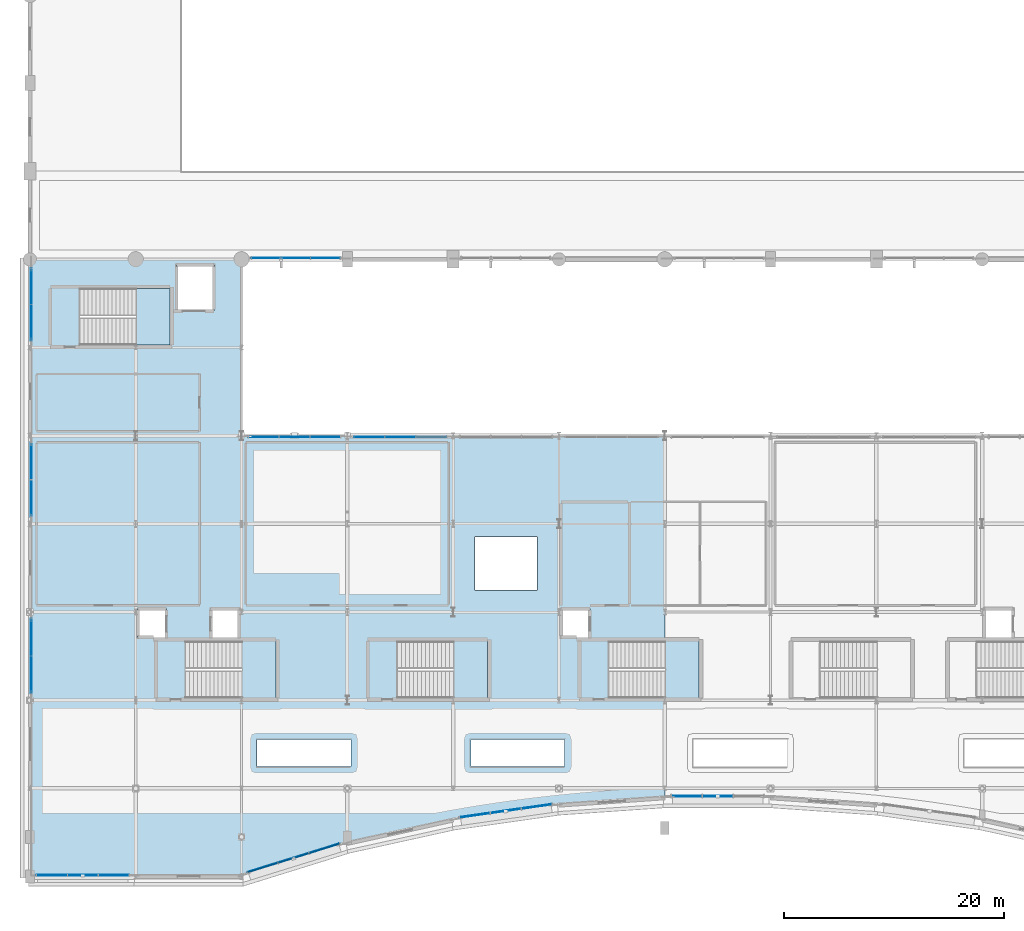
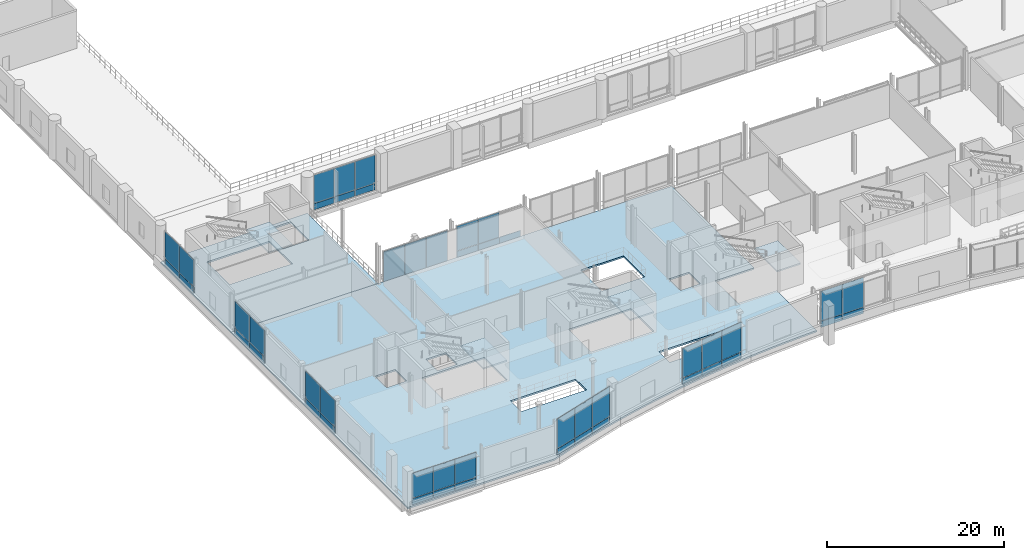
# One storey, part 69 of 129: 48 plates, 6 slabs, 14 elements without a shape of their own.
"""IFC4 building model written with IfcOpenShell, lengths in metres."""

import ifcopenshell
import ifcopenshell.guid

model = None  # the IFC model being written
_history = None  # IfcOwnerHistory: only IFC2X3 demands one
_inside = {}  # id of a spatial element -> (the spatial element, [elements in it])
_under = {}  # id of a project, library or spatial element -> (it, [spatial elements below it])
_declared = {}  # id of a project -> (the project, [libraries it declares])
_typed = {}  # id of a type object -> (the type object, [elements of that type])
_made_of = {}  # id of a material, layer set ... -> (it, [elements and type objects made of it])


def new_model(schema):
    """Start an empty IFC model of exactly this schema.

    Asked for "IFC4X3", IfcOpenShell would pick the latest addendum, in which some entities
    have other attributes; the version numbers below select the first issue.
    IFC2X3 requires an IfcOwnerHistory on every rooted entity: one is made here for all.
    """
    global model, _history
    if schema == "IFC4X3":
        model = ifcopenshell.file(schema_version=(4, 3, 0, 0))
    else:
        model = ifcopenshell.file(schema=schema)
    _inside.clear()
    _under.clear()
    _declared.clear()
    _typed.clear()
    _made_of.clear()
    _history = None
    if model.schema == "IFC2X3":
        org = make("IfcOrganization", Name="unknown")
        user = make(
            "IfcPersonAndOrganization",
            ThePerson=make("IfcPerson", FamilyName="unknown"),
            TheOrganization=org,
        )
        app = make(
            "IfcApplication",
            ApplicationDeveloper=org,
            Version="unknown",
            ApplicationFullName="unknown",
            ApplicationIdentifier="unknown",
        )
        _history = make(
            "IfcOwnerHistory",
            OwningUser=user,
            OwningApplication=app,
            ChangeAction="ADDED",
            CreationDate=0,
        )
    return model


def make(cls, **values):
    """One entity of the class cls with the attributes given. An attribute that is None is left unset."""
    return model.create_entity(
        cls, **{name: value for name, value in values.items() if value is not None}
    )


def rooted(cls, **values):
    """An entity with a GlobalId (a new one), such as an element, a storey or a relation."""
    return make(cls, GlobalId=ifcopenshell.guid.new(), OwnerHistory=_history, **values)


def si_unit(unit_type, name, prefix=None):
    """IfcSIUnit, for example si_unit("LENGTHUNIT", "METRE", prefix="MILLI")."""
    return make("IfcSIUnit", UnitType=unit_type, Prefix=prefix, Name=name)


def assignment(units):
    """IfcUnitAssignment: the units of a project."""
    return None if units is None else make("IfcUnitAssignment", Units=units)


def point(xyz):
    """IfcCartesianPoint."""
    return None if xyz is None else make("IfcCartesianPoint", Coordinates=xyz)


def direction(xyz):
    """IfcDirection."""
    return None if xyz is None else make("IfcDirection", DirectionRatios=xyz)


def frame(location, z_axis=None, x_axis=None):
    """IfcAxis2Placement3D, a coordinate frame: its origin and axes. An axis left out is left unset."""
    return make(
        "IfcAxis2Placement3D",
        Location=point(location),
        Axis=direction(z_axis),
        RefDirection=direction(x_axis),
    )


def frame_2d(location, x_axis=None):
    """IfcAxis2Placement2D, a coordinate frame in the plane: its origin and x axis."""
    return make(
        "IfcAxis2Placement2D", Location=point(location), RefDirection=direction(x_axis)
    )


def origin():
    """The frame at (0, 0, 0) with its axes left unset."""
    return frame((0.0, 0.0, 0.0))


def origin_2d():
    """The frame at (0, 0) in the plane with its x axis left unset."""
    return frame_2d((0.0, 0.0))


def place(relative_to, where):
    """IfcLocalPlacement: puts the frame where relative to a parent placement (None: the world)."""
    return make(
        "IfcLocalPlacement", PlacementRelTo=relative_to, RelativePlacement=where
    )


def context(
    kind, dimensions, precision=None, world=None, true_north=None, identifier=None
):
    """IfcGeometricRepresentationContext, for example the 3D "Model" context."""
    return make(
        "IfcGeometricRepresentationContext",
        ContextIdentifier=identifier,
        ContextType=kind,
        CoordinateSpaceDimension=dimensions,
        Precision=precision,
        WorldCoordinateSystem=world,
        TrueNorth=true_north,
    )


def subcontext(parent, identifier, kind, view, scale=None):
    """IfcGeometricRepresentationSubContext, for example "Body" below "Model"."""
    return make(
        "IfcGeometricRepresentationSubContext",
        ContextIdentifier=identifier,
        ContextType=kind,
        ParentContext=parent,
        TargetScale=scale,
        TargetView=view,
    )


def project(units=None, contexts=None):
    """IfcProject with its units and contexts."""
    return rooted(
        "IfcProject",
        Name="project",
        RepresentationContexts=contexts,
        UnitsInContext=assignment(units),
    )


def spatial(cls, under=None, at=None, **own):
    """A site, building, storey or space (cls), placed at a placement, below another one or the project."""
    s = rooted(cls, ObjectPlacement=at, **own)
    if under is not None:
        _under.setdefault(under.id(), (under, []))[1].append(s)
    return s


def polyline(points):
    """IfcPolyline through the points."""
    return make("IfcPolyline", Points=[point(p) for p in points])


def profile(cls, at=None, kind="AREA", **sizes):
    """A parametric profile (cls). Its sizes go by their IFC names, for example OverallWidth=200.0."""
    return make(cls, ProfileType=kind, Position=at, **sizes)


def rectangle(**sizes):
    """IfcRectangleProfileDef."""
    return profile("IfcRectangleProfileDef", **sizes)


def outline(outer, holes=None, kind="AREA"):
    """IfcArbitraryClosedProfileDef: a profile drawn as a closed curve; with holes, ...WithVoids."""
    if holes is None:
        return make("IfcArbitraryClosedProfileDef", ProfileType=kind, OuterCurve=outer)
    return make(
        "IfcArbitraryProfileDefWithVoids",
        ProfileType=kind,
        OuterCurve=outer,
        InnerCurves=holes,
    )


def extrude(swept, where, along, depth):
    """IfcExtrudedAreaSolid: the profile swept, set in the frame where, extruded along a direction by depth."""
    return make(
        "IfcExtrudedAreaSolid",
        SweptArea=swept,
        Position=where,
        ExtrudedDirection=direction(along),
        Depth=depth,
    )


def shape(context_of_items, identifier, shape_type, items):
    """IfcShapeRepresentation: the items that make up one representation, for example the "Body"."""
    return make(
        "IfcShapeRepresentation",
        ContextOfItems=context_of_items,
        RepresentationIdentifier=identifier,
        RepresentationType=shape_type,
        Items=items,
    )


def material(Name=None, Category=None):
    """IfcMaterial."""
    return make("IfcMaterial", Name=Name, Category=Category)


def layer(
    of_material, thickness, ventilated=None, Name=None, Category=None, Priority=None
):
    """IfcMaterialLayer: one layer of a wall or slab, of a material (None: an air gap)."""
    return make(
        "IfcMaterialLayer",
        Material=of_material,
        LayerThickness=thickness,
        IsVentilated=ventilated,
        Name=Name,
        Category=Category,
        Priority=Priority,
    )


def layer_set(layers, Name=None):
    """IfcMaterialLayerSet."""
    return make("IfcMaterialLayerSet", MaterialLayers=layers, LayerSetName=Name)


def made_of(thing, what):
    """Note that an element or type object is made of a material, layer set ...; save() writes the relation."""
    if what is not None:
        _made_of.setdefault(what.id(), (what, []))[1].append(thing)
    return thing


def type_object(cls, material=None, **own):
    """A type object (cls), such as IfcWallType, which elements share."""
    return made_of(rooted(cls, **own), material)


def element(
    cls,
    number,
    at=None,
    inside=None,
    cuts=None,
    type_object=None,
    material=None,
    context=None,
    identifier="Body",
    shape_type=None,
    held_by="IfcProductDefinitionShape",
    body=None,
    shapes=None,
    **own,
):
    """One element of the class cls, such as IfcWall. Its Tag is "e" and its number.

    at: its placement. inside: the storey or other place that contains it. cuts: it is an
    opening in that element (IfcRelVoidsElement). A single representation is given by context,
    identifier, shape_type and body (its items); several are given by shapes. held_by: the class
    of the entity that holds the representations. save() writes the other relations.
    """
    e = rooted(cls, Tag="e%d" % number, ObjectPlacement=at, **own)
    if body is not None:
        shapes = [shape(context, identifier, shape_type, body)]
    if shapes is not None:
        e.Representation = make(held_by, Representations=shapes)
    if inside is not None:
        _inside.setdefault(inside.id(), (inside, []))[1].append(e)
    if cuts is not None:
        rooted(
            "IfcRelVoidsElement", RelatingBuildingElement=cuts, RelatedOpeningElement=e
        )
    if type_object is not None:
        _typed.setdefault(type_object.id(), (type_object, []))[1].append(e)
    return made_of(e, material)


def aggregate(whole, parts):
    """IfcRelAggregates: a whole, such as a stair, and the parts it consists of."""
    return rooted("IfcRelAggregates", RelatingObject=whole, RelatedObjects=parts)


def save(model, path):
    """Write the relations noted so far, then the file.

    IfcRelAggregates (storeys below a building ...), IfcRelContainedInSpatialStructure (elements
    in a storey), IfcRelDefinesByType, IfcRelAssociatesMaterial and IfcRelDeclares: one each for
    every whole, place, type object, material and project.
    """
    for whole, parts in _under.values():
        aggregate(whole, parts)
    for where, things in _inside.values():
        rooted(
            "IfcRelContainedInSpatialStructure",
            RelatedElements=things,
            RelatingStructure=where,
        )
    for kind, things in _typed.values():
        rooted("IfcRelDefinesByType", RelatedObjects=things, RelatingType=kind)
    for what, things in _made_of.values():
        rooted("IfcRelAssociatesMaterial", RelatedObjects=things, RelatingMaterial=what)
    for by, libraries in _declared.values():
        rooted("IfcRelDeclares", RelatingContext=by, RelatedDefinitions=libraries)
    model.write(path)


model = new_model("IFC4")

# Units and contexts
model_context = context("Model", 3, precision=1e-05, world=origin(), true_north=direction((0.0, 1.0)))
body_context = subcontext(model_context, "Body", "Model", "MODEL_VIEW")
ifc_project = project(units=[si_unit("LENGTHUNIT", "METRE"), si_unit("AREAUNIT", "SQUARE_METRE"), si_unit("VOLUMEUNIT", "CUBIC_METRE"), si_unit("PLANEANGLEUNIT", "RADIAN"), si_unit("MASSUNIT", "GRAM", prefix="KILO")], contexts=[model_context])

# Site, building, storey
site_placement = place(None, origin())
site = spatial("IfcSite", under=ifc_project, at=site_placement, CompositionType="ELEMENT")
building_placement = place(site_placement, origin())
building = spatial("IfcBuilding", under=site, at=building_placement, Name="Danafjord Basin Convention Centre", CompositionType="ELEMENT")
storey_placement = place(building_placement, frame((0.0, 0.0, 6.0)))
storey = spatial("IfcBuildingStorey", under=building, at=storey_placement, Name="L01", CompositionType="ELEMENT", Elevation=6.0)

# Curtain wall, plates
ifc_material_1 = material(Name="Anodised aluminium and triple glazing", Category="aluminium")
curtain_wall_type_1 = type_object("IfcCurtainWallType", Name="CW-CW-HALL", PredefinedType="NOTDEFINED", material=ifc_material_1)
curtain_wall_1_placement = place(storey_placement, origin())
curtain_wall_1 = element("IfcCurtainWall", 1, at=curtain_wall_1_placement, inside=storey, type_object=curtain_wall_type_1, Name="L01 CW-HALL unitised curtain wall bay 2", PredefinedType="NOTDEFINED")
ifc_material_2 = material(Name="Triple low-E insulated glazing", Category="glass")
ifc_layer_1 = layer(ifc_material_2, 0.0380859375)
ifc_layer_set_1 = layer_set([ifc_layer_1], Name="Triple low-E insulated glazing")
plate_type_1 = type_object("IfcPlateType", Name="PLT-GP-38", PredefinedType="CURTAIN_PANEL", material=ifc_layer_set_1)
plate_1_placement = place(storey_placement, frame((21.441650390625, 56.1201171875, 0.97802734375), z_axis=(0.0, 0.0, 1.0), x_axis=(1.0, 0.0, 0.0)))
plate_1 = element("IfcPlate", 2, at=plate_1_placement, type_object=plate_type_1, Name="CW-L01-002 vision glazing unit 1", PredefinedType="CURTAIN_PANEL", context=body_context, shape_type="SweptSolid", body=[
    extrude(rectangle(XDim=2.627197265625, YDim=0.0380859375, at=origin_2d()), origin(), (0.0, 0.0, 1.0), 3.884033203125),
])
plate_2_placement = place(storey_placement, frame((24.125, 56.1201171875, 0.97802734375), z_axis=(0.0, 0.0, 1.0), x_axis=(1.0, 0.0, 0.0)))
plate_2 = element("IfcPlate", 3, at=plate_2_placement, type_object=plate_type_1, Name="CW-L01-002 vision glazing unit 2", PredefinedType="CURTAIN_PANEL", context=body_context, shape_type="SweptSolid", body=[
    extrude(rectangle(XDim=2.627197265625, YDim=0.0380859375, at=origin_2d()), origin(), (0.0, 0.0, 1.0), 3.884033203125),
])
plate_3_placement = place(storey_placement, frame((26.808349609375, 56.1201171875, 0.97802734375), z_axis=(0.0, 0.0, 1.0), x_axis=(1.0, 0.0, 0.0)))
plate_3 = element("IfcPlate", 4, at=plate_3_placement, type_object=plate_type_1, Name="CW-L01-002 vision glazing unit 3", PredefinedType="CURTAIN_PANEL", context=body_context, shape_type="SweptSolid", body=[
    extrude(rectangle(XDim=2.627197265625, YDim=0.0380859375, at=origin_2d()), origin(), (0.0, 0.0, 1.0), 3.884033203125),
])

curtain_wall_type_2 = type_object("IfcCurtainWallType", Name="CW-CW-HARB", PredefinedType="NOTDEFINED", material=ifc_material_1)
curtain_wall_2_placement = place(storey_placement, origin())
curtain_wall_2 = element("IfcCurtainWall", 5, at=curtain_wall_2_placement, inside=storey, type_object=curtain_wall_type_2, Name="L01 CW-HARB unitised curtain wall bay 16", PredefinedType="NOTDEFINED")
plate_4_placement = place(storey_placement, frame((2.0, 0.1201171875, 0.97802734375), z_axis=(0.0, 0.0, 1.0), x_axis=(1.0, 0.0, 0.0)))
plate_4 = element("IfcPlate", 6, at=plate_4_placement, type_object=plate_type_1, Name="CW-L01-016 vision glazing unit 1", PredefinedType="CURTAIN_PANEL", context=body_context, shape_type="SweptSolid", body=[
    extrude(rectangle(XDim=2.743896484375, YDim=0.0380859375, at=origin_2d()), origin(), (0.0, 0.0, 1.0), 3.4140625),
])
plate_5_placement = place(storey_placement, frame((4.800048828125, 0.1201171875, 0.97802734375), z_axis=(0.0, 0.0, 1.0), x_axis=(1.0, 0.0, 0.0)))
plate_5 = element("IfcPlate", 7, at=plate_5_placement, type_object=plate_type_1, Name="CW-L01-016 vision glazing unit 2", PredefinedType="CURTAIN_PANEL", context=body_context, shape_type="SweptSolid", body=[
    extrude(rectangle(XDim=2.743896484375, YDim=0.0380859375, at=origin_2d()), origin(), (0.0, 0.0, 1.0), 3.4140625),
])
plate_6_placement = place(storey_placement, frame((7.60009765625, 0.1201171875, 0.97802734375), z_axis=(0.0, 0.0, 1.0), x_axis=(1.0, 0.0, 0.0)))
plate_6 = element("IfcPlate", 8, at=plate_6_placement, type_object=plate_type_1, Name="CW-L01-016 vision glazing unit 3", PredefinedType="CURTAIN_PANEL", context=body_context, shape_type="SweptSolid", body=[
    extrude(rectangle(XDim=2.743896484375, YDim=0.0380859375, at=origin_2d()), origin(), (0.0, 0.0, 1.0), 3.4140625),
])

curtain_wall_3_placement = place(storey_placement, origin())
curtain_wall_3 = element("IfcCurtainWall", 9, at=curtain_wall_3_placement, inside=storey, type_object=curtain_wall_type_2, Name="L01 CW-HARB unitised curtain wall bay 18", PredefinedType="NOTDEFINED")
plate_7_placement = place(storey_placement, frame((40.36962890625, 5.562255859375, 0.97802734375), z_axis=(0.0, 0.0, 1.0), x_axis=(0.990128157327, 0.140165017276, 0.0)))
plate_7 = element("IfcPlate", 10, at=plate_7_placement, type_object=plate_type_1, Name="CW-L01-018 vision glazing unit 1", PredefinedType="CURTAIN_PANEL", context=body_context, shape_type="SweptSolid", body=[
    extrude(rectangle(XDim=2.77587890625, YDim=0.0380859375, at=origin_2d()), origin(), (0.0, 0.0, 1.0), 4.083984375),
])
plate_8_placement = place(storey_placement, frame((43.173583984375, 5.958984375, 0.97802734375), z_axis=(0.0, 0.0, 1.0), x_axis=(0.990128157327, 0.140165017276, 0.0)))
plate_8 = element("IfcPlate", 11, at=plate_8_placement, type_object=plate_type_1, Name="CW-L01-018 vision glazing unit 2", PredefinedType="CURTAIN_PANEL", context=body_context, shape_type="SweptSolid", body=[
    extrude(rectangle(XDim=2.77587890625, YDim=0.0380859375, at=origin_2d()), origin(), (0.0, 0.0, 1.0), 4.083984375),
])
plate_9_placement = place(storey_placement, frame((45.9775390625, 6.35595703125, 0.97802734375), z_axis=(0.0, 0.0, 1.0), x_axis=(0.990128157327, 0.140165017276, 0.0)))
plate_9 = element("IfcPlate", 12, at=plate_9_placement, type_object=plate_type_1, Name="CW-L01-018 vision glazing unit 3", PredefinedType="CURTAIN_PANEL", context=body_context, shape_type="SweptSolid", body=[
    extrude(rectangle(XDim=2.77587890625, YDim=0.0380859375, at=origin_2d()), origin(), (0.0, 0.0, 1.0), 4.083984375),
])

curtain_wall_type_3 = type_object("IfcCurtainWallType", Name="CW-CW-TERR", PredefinedType="NOTDEFINED", material=ifc_material_1)
curtain_wall_4_placement = place(storey_placement, origin())
curtain_wall_4 = element("IfcCurtainWall", 13, at=curtain_wall_4_placement, inside=storey, type_object=curtain_wall_type_3, Name="L01 CW-TERR unitised curtain wall bay 48", PredefinedType="NOTDEFINED")
plate_10_placement = place(storey_placement, frame((33.60009765625, 39.8798828125, 0.97802734375), z_axis=(0.0, 0.0, 1.0), x_axis=(-1.0, 0.0, 0.0)))
plate_10 = element("IfcPlate", 14, at=plate_10_placement, type_object=plate_type_1, Name="CW-L01-048 vision glazing unit 2", PredefinedType="CURTAIN_PANEL", context=body_context, shape_type="SweptSolid", body=[
    extrude(rectangle(XDim=2.743896484375, YDim=0.0380859375, at=origin_2d()), origin(), (0.0, 0.0, 1.0), 3.4140625),
])
plate_11_placement = place(storey_placement, frame((30.800048828125, 39.8798828125, 0.97802734375), z_axis=(0.0, 0.0, 1.0), x_axis=(-1.0, 0.0, 0.0)))
plate_11 = element("IfcPlate", 15, at=plate_11_placement, type_object=plate_type_1, Name="CW-L01-048 vision glazing unit 3", PredefinedType="CURTAIN_PANEL", context=body_context, shape_type="SweptSolid", body=[
    extrude(rectangle(XDim=2.743896484375, YDim=0.0380859375, at=origin_2d()), origin(), (0.0, 0.0, 1.0), 3.4140625),
])

curtain_wall_5_placement = place(storey_placement, origin())
curtain_wall_5 = element("IfcCurtainWall", 16, at=curtain_wall_5_placement, inside=storey, type_object=curtain_wall_type_3, Name="L01 CW-TERR unitised curtain wall bay 56", PredefinedType="NOTDEFINED")
plate_12_placement = place(storey_placement, frame((0.1201171875, 37.699951171875, 0.97802734375), z_axis=(0.0, 0.0, 1.0), x_axis=(0.0, -1.0, 0.0)))
plate_12 = element("IfcPlate", 17, at=plate_12_placement, type_object=plate_type_1, Name="CW-L01-056 vision glazing unit 1", PredefinedType="CURTAIN_PANEL", context=body_context, shape_type="SweptSolid", body=[
    extrude(rectangle(XDim=3.343994140625, YDim=0.0380859375, at=origin_2d()), origin(), (0.0, 0.0, 1.0), 3.6640625),
])
plate_13_placement = place(storey_placement, frame((0.1201171875, 34.300048828125, 0.97802734375), z_axis=(0.0, 0.0, 1.0), x_axis=(0.0, -1.0, 0.0)))
plate_13 = element("IfcPlate", 18, at=plate_13_placement, type_object=plate_type_1, Name="CW-L01-056 vision glazing unit 2", PredefinedType="CURTAIN_PANEL", context=body_context, shape_type="SweptSolid", body=[
    extrude(rectangle(XDim=3.343994140625, YDim=0.0380859375, at=origin_2d()), origin(), (0.0, 0.0, 1.0), 3.6640625),
])

curtain_wall_6_placement = place(storey_placement, origin())
curtain_wall_6 = element("IfcCurtainWall", 19, at=curtain_wall_6_placement, inside=storey, type_object=curtain_wall_type_2, Name="L01 CW-HARB unitised curtain wall bay 17", PredefinedType="NOTDEFINED")
ifc_layer_2 = layer(ifc_material_2, 0.048095703125)
ifc_layer_set_2 = layer_set([ifc_layer_2], Name="Triple low-E insulated glazing")
plate_type_2 = type_object("IfcPlateType", Name="PLT-GP-48", PredefinedType="CURTAIN_PANEL", material=ifc_layer_set_2)
plate_14_placement = place(storey_placement, frame((21.111083984375, 0.815185546875, 0.97802734375), z_axis=(0.0, 0.0, 1.0), x_axis=(0.955044712757, 0.296461796249, 0.0)))
plate_14 = element("IfcPlate", 20, at=plate_14_placement, type_object=plate_type_2, Name="CW-L01-017 vision glazing unit 1", PredefinedType="CURTAIN_PANEL", context=body_context, shape_type="SweptSolid", body=[
    extrude(rectangle(XDim=2.8779296875, YDim=0.048095703125, at=origin_2d()), origin(), (0.0, 0.0, 1.0), 4.083984375),
])
plate_15_placement = place(storey_placement, frame((23.913330078125, 1.68505859375, 0.97802734375), z_axis=(0.0, 0.0, 1.0), x_axis=(0.955044712757, 0.296461796249, 0.0)))
plate_15 = element("IfcPlate", 21, at=plate_15_placement, type_object=plate_type_2, Name="CW-L01-017 vision glazing unit 2", PredefinedType="CURTAIN_PANEL", context=body_context, shape_type="SweptSolid", body=[
    extrude(rectangle(XDim=2.8779296875, YDim=0.048095703125, at=origin_2d()), origin(), (0.0, 0.0, 1.0), 4.083984375),
])
plate_16_placement = place(storey_placement, frame((26.71533203125, 2.554931640625, 0.97802734375), z_axis=(0.0, 0.0, 1.0), x_axis=(0.955044712757, 0.296461796249, 0.0)))
plate_16 = element("IfcPlate", 22, at=plate_16_placement, type_object=plate_type_2, Name="CW-L01-017 vision glazing unit 3", PredefinedType="CURTAIN_PANEL", context=body_context, shape_type="SweptSolid", body=[
    extrude(rectangle(XDim=2.8779296875, YDim=0.048095703125, at=origin_2d()), origin(), (0.0, 0.0, 1.0), 4.083984375),
])

curtain_wall_7_placement = place(storey_placement, origin())
curtain_wall_7 = element("IfcCurtainWall", 23, at=curtain_wall_7_placement, inside=storey, type_object=curtain_wall_type_2, Name="L01 CW-HARB unitised curtain wall bay 19", PredefinedType="NOTDEFINED")
plate_17_placement = place(storey_placement, frame((59.60009765625, 7.300048828125, 0.97802734375), z_axis=(0.0, 0.0, 1.0), x_axis=(1.0, 0.0, 0.0)))
plate_17 = element("IfcPlate", 24, at=plate_17_placement, type_object=plate_type_2, Name="CW-L01-019 vision glazing unit 1", PredefinedType="CURTAIN_PANEL", context=body_context, shape_type="SweptSolid", body=[
    extrude(rectangle(XDim=2.743896484375, YDim=0.048095703125, at=origin_2d()), origin(), (0.0, 0.0, 1.0), 4.083984375),
])
plate_18_placement = place(storey_placement, frame((62.39990234375, 7.300048828125, 0.97802734375), z_axis=(0.0, 0.0, 1.0), x_axis=(1.0, 0.0, 0.0)))
plate_18 = element("IfcPlate", 25, at=plate_18_placement, type_object=plate_type_2, Name="CW-L01-019 vision glazing unit 2", PredefinedType="CURTAIN_PANEL", context=body_context, shape_type="SweptSolid", body=[
    extrude(rectangle(XDim=2.743896484375, YDim=0.048095703125, at=origin_2d()), origin(), (0.0, 0.0, 1.0), 4.083984375),
])

curtain_wall_8_placement = place(storey_placement, origin())
curtain_wall_8 = element("IfcCurtainWall", 26, at=curtain_wall_8_placement, inside=storey, type_object=curtain_wall_type_3, Name="L01 CW-TERR unitised curtain wall bay 47", PredefinedType="NOTDEFINED")
plate_19_placement = place(storey_placement, frame((26.800048828125, 39.8798828125, 0.087890625), z_axis=(0.0, 0.0, 1.0), x_axis=(-1.0, 0.0, 0.0)))
plate_19 = element("IfcPlate", 27, at=plate_19_placement, type_object=plate_type_2, Name="CW-L01-047 vision glazing unit 1", PredefinedType="CURTAIN_PANEL", context=body_context, shape_type="SweptSolid", body=[
    extrude(rectangle(XDim=2.743896484375, YDim=0.048095703125, at=origin_2d()), origin(), (0.0, 0.0, 1.0), 4.154052734375),
])
plate_20_placement = place(storey_placement, frame((24.0, 39.8798828125, 0.087890625), z_axis=(0.0, 0.0, 1.0), x_axis=(-1.0, 0.0, 0.0)))
plate_20 = element("IfcPlate", 28, at=plate_20_placement, type_object=plate_type_2, Name="CW-L01-047 vision glazing unit 2", PredefinedType="CURTAIN_PANEL", context=body_context, shape_type="SweptSolid", body=[
    extrude(rectangle(XDim=2.743896484375, YDim=0.048095703125, at=origin_2d()), origin(), (0.0, 0.0, 1.0), 4.154052734375),
])
plate_21_placement = place(storey_placement, frame((21.199951171875, 39.8798828125, 0.087890625), z_axis=(0.0, 0.0, 1.0), x_axis=(-1.0, 0.0, 0.0)))
plate_21 = element("IfcPlate", 29, at=plate_21_placement, type_object=plate_type_2, Name="CW-L01-047 vision glazing unit 3", PredefinedType="CURTAIN_PANEL", context=body_context, shape_type="SweptSolid", body=[
    extrude(rectangle(XDim=2.743896484375, YDim=0.048095703125, at=origin_2d()), origin(), (0.0, 0.0, 1.0), 4.154052734375),
])
aggregate(curtain_wall_8, [plate_19, plate_20, plate_21])

curtain_wall_9_placement = place(storey_placement, origin())
curtain_wall_9 = element("IfcCurtainWall", 30, at=curtain_wall_9_placement, inside=storey, type_object=curtain_wall_type_3, Name="L01 CW-TERR unitised curtain wall bay 55", PredefinedType="NOTDEFINED")
plate_22_placement = place(storey_placement, frame((0.1201171875, 21.699951171875, 0.97802734375), z_axis=(0.0, 0.0, 1.0), x_axis=(0.0, -1.0, 0.0)))
plate_22 = element("IfcPlate", 31, at=plate_22_placement, type_object=plate_type_2, Name="CW-L01-055 vision glazing unit 1", PredefinedType="CURTAIN_PANEL", context=body_context, shape_type="SweptSolid", body=[
    extrude(rectangle(XDim=3.343994140625, YDim=0.048095703125, at=origin_2d()), origin(), (0.0, 0.0, 1.0), 3.6640625),
])
plate_23_placement = place(storey_placement, frame((0.1201171875, 18.300048828125, 0.97802734375), z_axis=(0.0, 0.0, 1.0), x_axis=(0.0, -1.0, 0.0)))
plate_23 = element("IfcPlate", 32, at=plate_23_placement, type_object=plate_type_2, Name="CW-L01-055 vision glazing unit 2", PredefinedType="CURTAIN_PANEL", context=body_context, shape_type="SweptSolid", body=[
    extrude(rectangle(XDim=3.343994140625, YDim=0.048095703125, at=origin_2d()), origin(), (0.0, 0.0, 1.0), 3.6640625),
])

curtain_wall_10_placement = place(storey_placement, origin())
curtain_wall_10 = element("IfcCurtainWall", 33, at=curtain_wall_10_placement, inside=storey, type_object=curtain_wall_type_3, Name="L01 CW-TERR unitised curtain wall bay 57", PredefinedType="NOTDEFINED")
plate_24_placement = place(storey_placement, frame((0.1201171875, 53.550048828125, 0.97802734375), z_axis=(0.0, 0.0, 1.0), x_axis=(0.0, -1.0, 0.0)))
plate_24 = element("IfcPlate", 34, at=plate_24_placement, type_object=plate_type_2, Name="CW-L01-057 vision glazing unit 1", PredefinedType="CURTAIN_PANEL", context=body_context, shape_type="SweptSolid", body=[
    extrude(rectangle(XDim=3.243896484375, YDim=0.048095703125, at=origin_2d()), origin(), (0.0, 0.0, 1.0), 3.68408203125),
])
plate_25_placement = place(storey_placement, frame((0.1201171875, 50.25, 0.97802734375), z_axis=(0.0, 0.0, 1.0), x_axis=(0.0, -1.0, 0.0)))
plate_25 = element("IfcPlate", 35, at=plate_25_placement, type_object=plate_type_2, Name="CW-L01-057 vision glazing unit 2", PredefinedType="CURTAIN_PANEL", context=body_context, shape_type="SweptSolid", body=[
    extrude(rectangle(XDim=3.243896484375, YDim=0.048095703125, at=origin_2d()), origin(), (0.0, 0.0, 1.0), 3.68408203125),
])

# Plate
ifc_material_3 = material(Name="Insulated aluminium spandrel cassette", Category="aluminium")
ifc_layer_3 = layer(ifc_material_3, 0.070068359375)
ifc_layer_set_3 = layer_set([ifc_layer_3], Name="Insulated aluminium spandrel cassette")
plate_type_3 = type_object("IfcPlateType", Name="PLT-SPN-70", PredefinedType="CURTAIN_PANEL", material=ifc_layer_set_3)
plate_26_placement = place(storey_placement, frame((21.441650390625, 56.1201171875, 0.087890625), z_axis=(0.0, 0.0, 1.0), x_axis=(1.0, 0.0, 0.0)))
plate_26 = element("IfcPlate", 36, at=plate_26_placement, type_object=plate_type_3, Name="CW-L01-002 spandrel cassette 1", PredefinedType="CURTAIN_PANEL", context=body_context, shape_type="SweptSolid", body=[
    extrude(rectangle(XDim=2.627197265625, YDim=0.070068359375, at=origin_2d()), origin(), (0.0, 0.0, 1.0), 0.833984375),
])

plate_27_placement = place(storey_placement, frame((24.125, 56.1201171875, 0.087890625), z_axis=(0.0, 0.0, 1.0), x_axis=(1.0, 0.0, 0.0)))
plate_27 = element("IfcPlate", 37, at=plate_27_placement, type_object=plate_type_3, Name="CW-L01-002 spandrel cassette 2", PredefinedType="CURTAIN_PANEL", context=body_context, shape_type="SweptSolid", body=[
    extrude(rectangle(XDim=2.627197265625, YDim=0.070068359375, at=origin_2d()), origin(), (0.0, 0.0, 1.0), 0.833984375),
])

plate_28_placement = place(storey_placement, frame((26.808349609375, 56.1201171875, 0.087890625), z_axis=(0.0, 0.0, 1.0), x_axis=(1.0, 0.0, 0.0)))
plate_28 = element("IfcPlate", 38, at=plate_28_placement, type_object=plate_type_3, Name="CW-L01-002 spandrel cassette 3", PredefinedType="CURTAIN_PANEL", context=body_context, shape_type="SweptSolid", body=[
    extrude(rectangle(XDim=2.627197265625, YDim=0.070068359375, at=origin_2d()), origin(), (0.0, 0.0, 1.0), 0.833984375),
])

aggregate(curtain_wall_1, [plate_26, plate_1, plate_27, plate_2, plate_28, plate_3])

plate_29_placement = place(storey_placement, frame((2.0, 0.1201171875, 0.087890625), z_axis=(0.0, 0.0, 1.0), x_axis=(1.0, 0.0, 0.0)))
plate_29 = element("IfcPlate", 39, at=plate_29_placement, type_object=plate_type_3, Name="CW-L01-016 spandrel cassette 1", PredefinedType="CURTAIN_PANEL", context=body_context, shape_type="SweptSolid", body=[
    extrude(rectangle(XDim=2.743896484375, YDim=0.070068359375, at=origin_2d()), origin(), (0.0, 0.0, 1.0), 0.833984375),
])

plate_30_placement = place(storey_placement, frame((4.800048828125, 0.1201171875, 0.087890625), z_axis=(0.0, 0.0, 1.0), x_axis=(1.0, 0.0, 0.0)))
plate_30 = element("IfcPlate", 40, at=plate_30_placement, type_object=plate_type_3, Name="CW-L01-016 spandrel cassette 2", PredefinedType="CURTAIN_PANEL", context=body_context, shape_type="SweptSolid", body=[
    extrude(rectangle(XDim=2.743896484375, YDim=0.070068359375, at=origin_2d()), origin(), (0.0, 0.0, 1.0), 0.833984375),
])

plate_31_placement = place(storey_placement, frame((7.60009765625, 0.1201171875, 0.087890625), z_axis=(0.0, 0.0, 1.0), x_axis=(1.0, 0.0, 0.0)))
plate_31 = element("IfcPlate", 41, at=plate_31_placement, type_object=plate_type_3, Name="CW-L01-016 spandrel cassette 3", PredefinedType="CURTAIN_PANEL", context=body_context, shape_type="SweptSolid", body=[
    extrude(rectangle(XDim=2.743896484375, YDim=0.070068359375, at=origin_2d()), origin(), (0.0, 0.0, 1.0), 0.833984375),
])

aggregate(curtain_wall_2, [plate_29, plate_4, plate_30, plate_5, plate_31, plate_6])

plate_32_placement = place(storey_placement, frame((40.36962890625, 5.562255859375, 0.087890625), z_axis=(0.0, 0.0, 1.0), x_axis=(0.990128157327, 0.140165017276, 0.0)))
plate_32 = element("IfcPlate", 42, at=plate_32_placement, type_object=plate_type_3, Name="CW-L01-018 spandrel cassette 1", PredefinedType="CURTAIN_PANEL", context=body_context, shape_type="SweptSolid", body=[
    extrude(rectangle(XDim=2.77587890625, YDim=0.070068359375, at=origin_2d()), origin(), (0.0, 0.0, 1.0), 0.833984375),
])

plate_33_placement = place(storey_placement, frame((43.173583984375, 5.958984375, 0.087890625), z_axis=(0.0, 0.0, 1.0), x_axis=(0.990128157327, 0.140165017276, 0.0)))
plate_33 = element("IfcPlate", 43, at=plate_33_placement, type_object=plate_type_3, Name="CW-L01-018 spandrel cassette 2", PredefinedType="CURTAIN_PANEL", context=body_context, shape_type="SweptSolid", body=[
    extrude(rectangle(XDim=2.77587890625, YDim=0.070068359375, at=origin_2d()), origin(), (0.0, 0.0, 1.0), 0.833984375),
])

plate_34_placement = place(storey_placement, frame((45.9775390625, 6.35595703125, 0.087890625), z_axis=(0.0, 0.0, 1.0), x_axis=(0.990128157327, 0.140165017276, 0.0)))
plate_34 = element("IfcPlate", 44, at=plate_34_placement, type_object=plate_type_3, Name="CW-L01-018 spandrel cassette 3", PredefinedType="CURTAIN_PANEL", context=body_context, shape_type="SweptSolid", body=[
    extrude(rectangle(XDim=2.77587890625, YDim=0.070068359375, at=origin_2d()), origin(), (0.0, 0.0, 1.0), 0.833984375),
])

aggregate(curtain_wall_3, [plate_32, plate_7, plate_33, plate_8, plate_34, plate_9])

plate_35_placement = place(storey_placement, frame((36.39990234375, 39.8798828125, 0.087890625), z_axis=(0.0, 0.0, 1.0), x_axis=(-1.0, 0.0, 0.0)))
plate_35 = element("IfcPlate", 45, at=plate_35_placement, type_object=plate_type_3, Name="CW-L01-048 spandrel cassette 1", PredefinedType="CURTAIN_PANEL", context=body_context, shape_type="SweptSolid", body=[
    extrude(rectangle(XDim=2.743896484375, YDim=0.070068359375, at=origin_2d()), origin(), (0.0, 0.0, 1.0), 0.833984375),
])

plate_36_placement = place(storey_placement, frame((33.60009765625, 39.8798828125, 0.087890625), z_axis=(0.0, 0.0, 1.0), x_axis=(-1.0, 0.0, 0.0)))
plate_36 = element("IfcPlate", 46, at=plate_36_placement, type_object=plate_type_3, Name="CW-L01-048 spandrel cassette 2", PredefinedType="CURTAIN_PANEL", context=body_context, shape_type="SweptSolid", body=[
    extrude(rectangle(XDim=2.743896484375, YDim=0.070068359375, at=origin_2d()), origin(), (0.0, 0.0, 1.0), 0.833984375),
])

plate_37_placement = place(storey_placement, frame((30.800048828125, 39.8798828125, 0.087890625), z_axis=(0.0, 0.0, 1.0), x_axis=(-1.0, 0.0, 0.0)))
plate_37 = element("IfcPlate", 47, at=plate_37_placement, type_object=plate_type_3, Name="CW-L01-048 spandrel cassette 3", PredefinedType="CURTAIN_PANEL", context=body_context, shape_type="SweptSolid", body=[
    extrude(rectangle(XDim=2.743896484375, YDim=0.070068359375, at=origin_2d()), origin(), (0.0, 0.0, 1.0), 0.833984375),
])

aggregate(curtain_wall_4, [plate_35, plate_36, plate_10, plate_37, plate_11])

plate_38_placement = place(storey_placement, frame((0.1201171875, 37.699951171875, 0.087890625), z_axis=(0.0, 0.0, 1.0), x_axis=(0.0, -1.0, 0.0)))
plate_38 = element("IfcPlate", 48, at=plate_38_placement, type_object=plate_type_3, Name="CW-L01-056 spandrel cassette 1", PredefinedType="CURTAIN_PANEL", context=body_context, shape_type="SweptSolid", body=[
    extrude(rectangle(XDim=3.343994140625, YDim=0.070068359375, at=origin_2d()), origin(), (0.0, 0.0, 1.0), 0.833984375),
])

plate_39_placement = place(storey_placement, frame((0.1201171875, 34.300048828125, 0.087890625), z_axis=(0.0, 0.0, 1.0), x_axis=(0.0, -1.0, 0.0)))
plate_39 = element("IfcPlate", 49, at=plate_39_placement, type_object=plate_type_3, Name="CW-L01-056 spandrel cassette 2", PredefinedType="CURTAIN_PANEL", context=body_context, shape_type="SweptSolid", body=[
    extrude(rectangle(XDim=3.343994140625, YDim=0.070068359375, at=origin_2d()), origin(), (0.0, 0.0, 1.0), 0.833984375),
])

aggregate(curtain_wall_5, [plate_38, plate_12, plate_39, plate_13])

ifc_layer_4 = layer(ifc_material_3, 0.090087890625)
ifc_layer_set_4 = layer_set([ifc_layer_4], Name="Insulated aluminium spandrel cassette")
plate_type_4 = type_object("IfcPlateType", Name="PLT-SPN-90", PredefinedType="CURTAIN_PANEL", material=ifc_layer_set_4)
plate_40_placement = place(storey_placement, frame((21.111083984375, 0.815185546875, 0.087890625), z_axis=(0.0, 0.0, 1.0), x_axis=(0.955044712757, 0.296461796249, 0.0)))
plate_40 = element("IfcPlate", 50, at=plate_40_placement, type_object=plate_type_4, Name="CW-L01-017 spandrel cassette 1", PredefinedType="CURTAIN_PANEL", context=body_context, shape_type="SweptSolid", body=[
    extrude(rectangle(XDim=2.8779296875, YDim=0.090087890625, at=origin_2d()), origin(), (0.0, 0.0, 1.0), 0.833984375),
])

plate_41_placement = place(storey_placement, frame((23.913330078125, 1.68505859375, 0.087890625), z_axis=(0.0, 0.0, 1.0), x_axis=(0.955044712757, 0.296461796249, 0.0)))
plate_41 = element("IfcPlate", 51, at=plate_41_placement, type_object=plate_type_4, Name="CW-L01-017 spandrel cassette 2", PredefinedType="CURTAIN_PANEL", context=body_context, shape_type="SweptSolid", body=[
    extrude(rectangle(XDim=2.8779296875, YDim=0.090087890625, at=origin_2d()), origin(), (0.0, 0.0, 1.0), 0.833984375),
])

plate_42_placement = place(storey_placement, frame((26.71533203125, 2.554931640625, 0.087890625), z_axis=(0.0, 0.0, 1.0), x_axis=(0.955044712757, 0.296461796249, 0.0)))
plate_42 = element("IfcPlate", 52, at=plate_42_placement, type_object=plate_type_4, Name="CW-L01-017 spandrel cassette 3", PredefinedType="CURTAIN_PANEL", context=body_context, shape_type="SweptSolid", body=[
    extrude(rectangle(XDim=2.8779296875, YDim=0.090087890625, at=origin_2d()), origin(), (0.0, 0.0, 1.0), 0.833984375),
])

aggregate(curtain_wall_6, [plate_40, plate_14, plate_41, plate_15, plate_42, plate_16])

plate_43_placement = place(storey_placement, frame((59.60009765625, 7.300048828125, 0.087890625), z_axis=(0.0, 0.0, 1.0), x_axis=(1.0, 0.0, 0.0)))
plate_43 = element("IfcPlate", 53, at=plate_43_placement, type_object=plate_type_4, Name="CW-L01-019 spandrel cassette 1", PredefinedType="CURTAIN_PANEL", context=body_context, shape_type="SweptSolid", body=[
    extrude(rectangle(XDim=2.743896484375, YDim=0.090087890625, at=origin_2d()), origin(), (0.0, 0.0, 1.0), 0.833984375),
])

plate_44_placement = place(storey_placement, frame((62.39990234375, 7.300048828125, 0.087890625), z_axis=(0.0, 0.0, 1.0), x_axis=(1.0, 0.0, 0.0)))
plate_44 = element("IfcPlate", 54, at=plate_44_placement, type_object=plate_type_4, Name="CW-L01-019 spandrel cassette 2", PredefinedType="CURTAIN_PANEL", context=body_context, shape_type="SweptSolid", body=[
    extrude(rectangle(XDim=2.743896484375, YDim=0.090087890625, at=origin_2d()), origin(), (0.0, 0.0, 1.0), 0.833984375),
])

aggregate(curtain_wall_7, [plate_43, plate_17, plate_44, plate_18])

plate_45_placement = place(storey_placement, frame((0.1201171875, 21.699951171875, 0.087890625), z_axis=(0.0, 0.0, 1.0), x_axis=(0.0, -1.0, 0.0)))
plate_45 = element("IfcPlate", 55, at=plate_45_placement, type_object=plate_type_4, Name="CW-L01-055 spandrel cassette 1", PredefinedType="CURTAIN_PANEL", context=body_context, shape_type="SweptSolid", body=[
    extrude(rectangle(XDim=3.343994140625, YDim=0.090087890625, at=origin_2d()), origin(), (0.0, 0.0, 1.0), 0.833984375),
])

plate_46_placement = place(storey_placement, frame((0.1201171875, 18.300048828125, 0.087890625), z_axis=(0.0, 0.0, 1.0), x_axis=(0.0, -1.0, 0.0)))
plate_46 = element("IfcPlate", 56, at=plate_46_placement, type_object=plate_type_4, Name="CW-L01-055 spandrel cassette 2", PredefinedType="CURTAIN_PANEL", context=body_context, shape_type="SweptSolid", body=[
    extrude(rectangle(XDim=3.343994140625, YDim=0.090087890625, at=origin_2d()), origin(), (0.0, 0.0, 1.0), 0.833984375),
])

aggregate(curtain_wall_9, [plate_45, plate_22, plate_46, plate_23])

plate_47_placement = place(storey_placement, frame((0.1201171875, 53.550048828125, 0.087890625), z_axis=(0.0, 0.0, 1.0), x_axis=(0.0, -1.0, 0.0)))
plate_47 = element("IfcPlate", 57, at=plate_47_placement, type_object=plate_type_4, Name="CW-L01-057 spandrel cassette 1", PredefinedType="CURTAIN_PANEL", context=body_context, shape_type="SweptSolid", body=[
    extrude(rectangle(XDim=3.243896484375, YDim=0.090087890625, at=origin_2d()), origin(), (0.0, 0.0, 1.0), 0.833984375),
])

plate_48_placement = place(storey_placement, frame((0.1201171875, 50.25, 0.087890625), z_axis=(0.0, 0.0, 1.0), x_axis=(0.0, -1.0, 0.0)))
plate_48 = element("IfcPlate", 58, at=plate_48_placement, type_object=plate_type_4, Name="CW-L01-057 spandrel cassette 2", PredefinedType="CURTAIN_PANEL", context=body_context, shape_type="SweptSolid", body=[
    extrude(rectangle(XDim=3.243896484375, YDim=0.090087890625, at=origin_2d()), origin(), (0.0, 0.0, 1.0), 0.833984375),
])

aggregate(curtain_wall_10, [plate_47, plate_24, plate_48, plate_25])

# Slabs
ifc_material_4 = material(Name="Concrete C35/45", Category="concrete")
ifc_layer_5 = layer(ifc_material_4, 0.22998046875)
ifc_layer_set_5 = layer_set([ifc_layer_5], Name="Concrete C35/45")
slab_type_1 = type_object("IfcSlabType", Name="SLAB-FS-230", PredefinedType="FLOOR", material=ifc_layer_set_5)
slab_1_placement = place(storey_placement, frame((0.0, 0.0, -0.22998046875)))
element("IfcSlab", 59, at=slab_1_placement, inside=storey, type_object=slab_type_1, Name="L01 FS-230 slab SL-L01-V4W", PredefinedType="FLOOR", context=body_context, shape_type="SweptSolid", body=[
    extrude(outline(polyline([(57.60009765625, 40.0), (57.60009765625, 21.35009765625), (52.530029296875, 21.35009765625), (52.530029296875, 16.2099609375), (57.60009765625, 16.2099609375), (57.60009765625, 7.116943359375), (55.199951171875, 7.013916015625), (52.800048828125, 6.868896484375), (50.39990234375, 6.681884765625), (48.0, 6.451904296875), (45.60009765625, 6.178955078125), (43.199951171875, 5.862060546875), (40.800048828125, 5.5009765625), (38.39990234375, 5.093017578125), (36.0, 4.638916015625), (33.60009765625, 4.136962890625), (31.199951171875, 3.583984375), (28.800048828125, 2.97998046875), (26.39990234375, 2.322021484375), (24.0, 1.60791015625), (21.60009765625, 0.8349609375), (19.199951171875, 0.0), (0.0, 0.0), (0.0, 40.0), (57.60009765625, 40.0)]), holes=[polyline([(50.800048828125, 24.300048828125), (48.199951171875, 24.300048828125), (48.199951171875, 21.699951171875), (50.800048828125, 21.699951171875), (50.800048828125, 24.300048828125)]), polyline([(48.52490234375, 12.425048828125), (40.0, 12.425048828125), (40.0, 9.97509765625), (48.52490234375, 9.97509765625), (48.52490234375, 12.425048828125)]), polyline([(46.0, 30.800048828125), (40.39990234375, 30.800048828125), (40.39990234375, 26.0), (46.0, 26.0), (46.0, 30.800048828125)]), polyline([(41.530029296875, 21.35009765625), (33.330078125, 21.35009765625), (33.330078125, 16.2099609375), (41.530029296875, 16.2099609375), (41.530029296875, 21.35009765625)]), polyline([(29.125, 12.425048828125), (20.60009765625, 12.425048828125), (20.60009765625, 9.97509765625), (29.125, 9.97509765625), (29.125, 12.425048828125)]), polyline([(22.330078125, 21.35009765625), (14.1298828125, 21.35009765625), (14.1298828125, 16.2099609375), (22.330078125, 16.2099609375), (22.330078125, 21.35009765625)]), polyline([(19.0, 24.300048828125), (16.39990234375, 24.300048828125), (16.39990234375, 21.699951171875), (19.0, 21.699951171875), (19.0, 24.300048828125)]), polyline([(12.39990234375, 24.300048828125), (9.800048828125, 24.300048828125), (9.800048828125, 21.699951171875), (12.39990234375, 21.699951171875), (12.39990234375, 24.300048828125)])]), origin(), (0.0, 0.0, 1.0), 0.22998046875),
])
slab_2_placement = place(storey_placement, frame((0.0, 0.0, -0.22998046875)))
element("IfcSlab", 60, at=slab_2_placement, inside=storey, type_object=slab_type_1, Name="L01 FS-230 slab SL-L01-V4LW", PredefinedType="FLOOR", context=body_context, shape_type="SweptSolid", body=[
    extrude(outline(polyline([(0.0, 56.0), (19.199951171875, 56.0), (19.199951171875, 40.0), (0.0, 40.0), (0.0, 56.0)]), holes=[polyline([(13.300048828125, 51.300048828125), (16.699951171875, 51.300048828125), (16.699951171875, 55.5), (13.300048828125, 55.5), (13.300048828125, 51.300048828125)]), polyline([(4.530029296875, 48.2099609375), (12.72998046875, 48.2099609375), (12.72998046875, 53.35009765625), (4.530029296875, 53.35009765625), (4.530029296875, 48.2099609375)])]), origin(), (0.0, 0.0, 1.0), 0.22998046875),
])

# Stair, slab
ifc_material_5 = material(Name="Concrete C40/50", Category="concrete")
stair_type = type_object("IfcStairType", Name="STAIR-STR-C01", PredefinedType="TWO_STRAIGHT_RUN_STAIR", material=ifc_material_5)
stair_1_placement = place(storey_placement, origin())
stair_1 = element("IfcStair", 61, at=stair_1_placement, inside=storey, type_object=stair_type, Name="L01 West Harbour Core Stair 1", PredefinedType="HALF_TURN_STAIR")
ifc_layer_6 = layer(ifc_material_5, 0.199951171875)
ifc_layer_set_6 = layer_set([ifc_layer_6], Name="Concrete C40/50")
slab_type_2 = type_object("IfcSlabType", Name="SLAB-LAND-200", PredefinedType="LANDING", material=ifc_layer_set_6)
slab_3_placement = place(storey_placement, frame((0.0, 0.0, 2.5)))
slab_3 = element("IfcSlab", 62, at=slab_3_placement, type_object=slab_type_2, Name="ST-01 landing 1", PredefinedType="LANDING", context=body_context, shape_type="SweptSolid", body=[
    extrude(outline(polyline([(19.239990234375, 16.2099609375), (22.330078125, 16.2099609375), (22.330078125, 21.35009765625), (19.239990234375, 21.35009765625), (19.239990234375, 16.2099609375)])), origin(), (0.0, 0.0, 1.0), 0.199951171875),
])
aggregate(stair_1, [slab_3])

stair_2_placement = place(storey_placement, origin())
stair_2 = element("IfcStair", 63, at=stair_2_placement, inside=storey, type_object=stair_type, Name="L01 Mid-Arc Meeting Core Stair 1", PredefinedType="HALF_TURN_STAIR")
slab_4_placement = place(storey_placement, frame((0.0, 0.0, 2.5)))
slab_4 = element("IfcSlab", 64, at=slab_4_placement, type_object=slab_type_2, Name="ST-05 landing 1", PredefinedType="LANDING", context=body_context, shape_type="SweptSolid", body=[
    extrude(outline(polyline([(57.639892578125, 16.2099609375), (60.72998046875, 16.2099609375), (60.72998046875, 21.35009765625), (57.639892578125, 21.35009765625), (57.639892578125, 16.2099609375)])), origin(), (0.0, 0.0, 1.0), 0.199951171875),
])
aggregate(stair_2, [slab_4])

stair_3_placement = place(storey_placement, origin())
stair_3 = element("IfcStair", 65, at=stair_3_placement, inside=storey, type_object=stair_type, Name="L01 West Exhibition Core Stair 1", PredefinedType="HALF_TURN_STAIR")
slab_5_placement = place(storey_placement, frame((0.0, 0.0, 2.5)))
slab_5 = element("IfcSlab", 66, at=slab_5_placement, type_object=slab_type_2, Name="ST-07 landing 1", PredefinedType="LANDING", context=body_context, shape_type="SweptSolid", body=[
    extrude(outline(polyline([(9.639892578125, 48.2099609375), (12.72998046875, 48.2099609375), (12.72998046875, 53.35009765625), (9.639892578125, 53.35009765625), (9.639892578125, 48.2099609375)])), origin(), (0.0, 0.0, 1.0), 0.199951171875),
])
aggregate(stair_3, [slab_5])

stair_4_placement = place(storey_placement, origin())
stair_4 = element("IfcStair", 67, at=stair_4_placement, inside=storey, type_object=stair_type, Name="L01 West Harbour Escape Stair 2", PredefinedType="HALF_TURN_STAIR")
slab_6_placement = place(storey_placement, frame((0.0, 0.0, 2.5)))
slab_6 = element("IfcSlab", 68, at=slab_6_placement, type_object=slab_type_2, Name="ST-02 landing 1", PredefinedType="LANDING", context=body_context, shape_type="SweptSolid", body=[
    extrude(outline(polyline([(38.43994140625, 16.2099609375), (41.530029296875, 16.2099609375), (41.530029296875, 21.35009765625), (38.43994140625, 21.35009765625), (38.43994140625, 16.2099609375)])), origin(), (0.0, 0.0, 1.0), 0.199951171875),
])
aggregate(stair_4, [slab_6])

save(model, "model.ifc")
